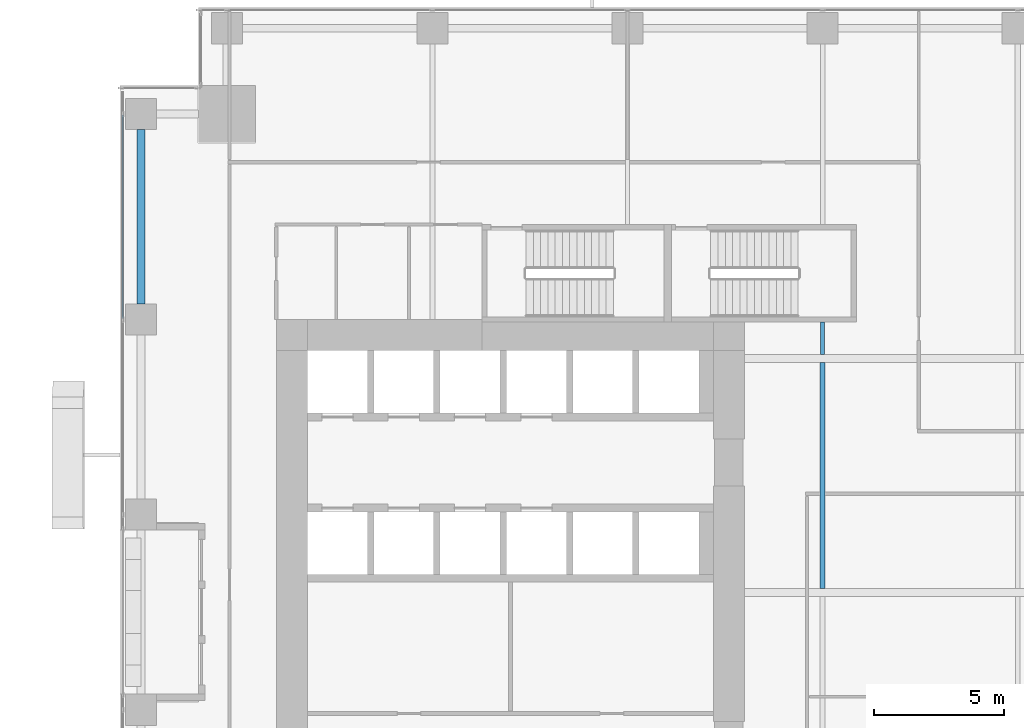
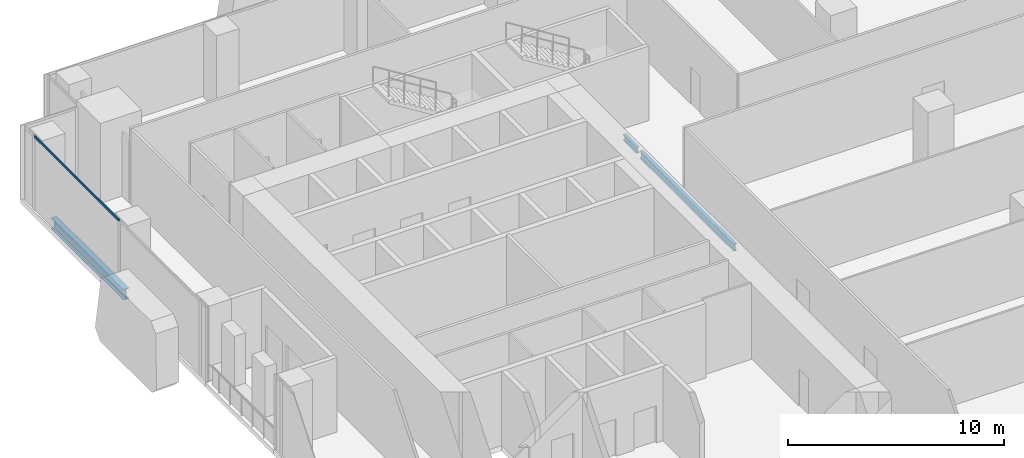
# One storey, part 13 of 35: 3 beams, 1 member, 1 element without a shape of its own.
"""IFC4 building model written with IfcOpenShell, lengths in metres."""

from ifc_helpers import new_model, si_unit, direction, frame, origin, origin_2d, place, context, subcontext, project, spatial, hollow_rectangle, i_section, extrude, source, transform, mapped, material, material_profile, profile_set, type_object, element, aggregate, save


model = new_model("IFC4")

# Units and contexts
model_context = context("Model", 3, precision=1e-05, world=origin(), true_north=direction((0.0, 1.0)))
body_context = subcontext(model_context, "Body", "Model", "MODEL_VIEW")
ifc_project = project(units=[si_unit("LENGTHUNIT", "METRE"), si_unit("AREAUNIT", "SQUARE_METRE"), si_unit("VOLUMEUNIT", "CUBIC_METRE"), si_unit("PLANEANGLEUNIT", "RADIAN"), si_unit("MASSUNIT", "GRAM", prefix="KILO")], contexts=[model_context])

# Site, building, storey
site_placement = place(None, origin())
site = spatial("IfcSite", under=ifc_project, at=site_placement, CompositionType="ELEMENT")
building_placement = place(site_placement, origin())
building = spatial("IfcBuilding", under=site, at=building_placement, Name="Khomas Fold Tower", CompositionType="ELEMENT")
storey_placement = place(building_placement, frame((0.0, 0.0, 69.0)))
storey = spatial("IfcBuildingStorey", under=building, at=storey_placement, Name="L14", CompositionType="ELEMENT", Elevation=69.0)

# Beams
ifc_material_1 = material(Name="Steel S355", Category="steel")
ifc_material_profile_1 = material_profile(ifc_material_1, i_section(OverallWidth=0.179931640625, OverallDepth=0.39990234375, WebThickness=0.008544921875, FlangeThickness=0.013427734375, at=origin_2d()), Name="IPE 400")
ifc_profile_set_1 = profile_set([ifc_material_profile_1], Name="Steel S355")
beam_type_1 = type_object("IfcBeamType", Name="IPE 400 beam JB3", PredefinedType="BEAM", material=ifc_profile_set_1)
shared_shape_1 = source(origin(), body_context, "Body", "SweptSolid", [
    extrude(i_section(OverallWidth=0.179931640625, OverallDepth=0.39990234375, WebThickness=0.008544921875, FlangeThickness=0.013427734375, at=origin_2d()), origin(), (0.0, 0.0, 1.0), 8.7001953125),
])
beam_1_placement = place(storey_placement, frame((27.0, 31.64990234375, -0.5), z_axis=(0.0, 1.0, 0.0), x_axis=(-1.0, 0.0, 0.0)))
element("IfcBeam", 1, at=beam_1_placement, inside=storey, type_object=beam_type_1, Name="JB3", PredefinedType="BEAM", context=body_context, shape_type="MappedRepresentation", body=[
    mapped(shared_shape_1, transform((0.0, 0.0, 0.0))),
])
ifc_material_2 = material(Name="Steel S355", Category="steel")
ifc_material_profile_2 = material_profile(ifc_material_2, i_section(OverallWidth=0.300048828125, OverallDepth=0.60009765625, WebThickness=0.015380859375, FlangeThickness=0.030029296875, at=origin_2d()), Name="HE 600 B")
ifc_profile_set_2 = profile_set([ifc_material_profile_2], Name="Steel S355")
beam_type_2 = type_object("IfcBeamType", Name="HE 600 B spandrel SB1", PredefinedType="SPANDREL", material=ifc_profile_set_2)
shared_shape_2 = source(origin(), body_context, "Body", "SweptSolid", [
    extrude(i_section(OverallWidth=0.300048828125, OverallDepth=0.60009765625, WebThickness=0.015380859375, FlangeThickness=0.030029296875, at=origin_2d()), origin(), (0.0, 0.0, 1.0), 6.699951171875),
])
beam_2_placement = place(storey_placement, frame((0.800048828125, 42.60009765625, -0.60009765625), z_axis=(0.0, 1.0, 0.0), x_axis=(-1.0, 0.0, 0.0)))
element("IfcBeam", 2, at=beam_2_placement, inside=storey, type_object=beam_type_2, Name="SB1", PredefinedType="SPANDREL", context=body_context, shape_type="MappedRepresentation", body=[
    mapped(shared_shape_2, transform((0.0, 0.0, 0.0))),
])
ifc_material_3 = material(Name="Steel S355", Category="steel")
ifc_material_profile_3 = material_profile(ifc_material_3, i_section(OverallWidth=0.159912109375, OverallDepth=0.330078125, WebThickness=0.007568359375, FlangeThickness=0.011474609375, at=origin_2d()), Name="IPE 330")
ifc_profile_set_3 = profile_set([ifc_material_profile_3], Name="Steel S355")
beam_type_3 = type_object("IfcBeamType", Name="IPE 330 beam JB1", PredefinedType="BEAM", material=ifc_profile_set_3)
shared_shape_3 = source(origin(), body_context, "Body", "SweptSolid", [
    extrude(i_section(OverallWidth=0.159912109375, OverallDepth=0.330078125, WebThickness=0.007568359375, FlangeThickness=0.011474609375, at=origin_2d()), origin(), (0.0, 0.0, 1.0), 1.25),
])
beam_3_placement = place(storey_placement, frame((27.0, 40.64990234375, -0.465087890625), z_axis=(0.0, 1.0, 0.0), x_axis=(-1.0, 0.0, 0.0)))
element("IfcBeam", 3, at=beam_3_placement, inside=storey, type_object=beam_type_3, Name="JB1", PredefinedType="BEAM", context=body_context, shape_type="MappedRepresentation", body=[
    mapped(shared_shape_3, transform((0.0, 0.0, 0.0))),
])

# Curtain wall, member
ifc_material_4 = material(Name="Aluminium framed double glazing", Category="aluminium")
curtain_wall_type = type_object("IfcCurtainWallType", Name="SK-Unitised clear-glass wall, growing floors CW1", PredefinedType="NOTDEFINED", material=ifc_material_4)
curtain_wall_placement = place(storey_placement, origin())
curtain_wall = element("IfcCurtainWall", 4, at=curtain_wall_placement, inside=storey, type_object=curtain_wall_type, Name="CW1 run L14 09-0", PredefinedType="NOTDEFINED")
ifc_material_5 = material(Name="Aluminium", Category="aluminium")
ifc_material_profile_4 = material_profile(ifc_material_5, hollow_rectangle(XDim=0.06005859375, YDim=0.1201171875, WallThickness=0.00390625, at=origin_2d()), Name="SK-Unitised clear-glass wall, growing floors transom CW1-T")
ifc_profile_set_4 = profile_set([ifc_material_profile_4], Name="Aluminium")
member_type = type_object("IfcMemberType", Name="SK-Unitised clear-glass wall, growing floors transom CW1-T", PredefinedType="USERDEFINED", material=ifc_profile_set_4)
shared_shape_4 = source(origin(), body_context, "Body", "SweptSolid", [
    extrude(hollow_rectangle(XDim=0.06005859375, YDim=0.1201171875, WallThickness=0.00390625, at=origin_2d()), origin(), (0.0, 0.0, 1.0), 7.840087890625),
])
member_placement = place(storey_placement, frame((0.10009765625, 49.8701171875, 4.139892578125), z_axis=(0.0, -1.0, 0.0), x_axis=(1.0, 0.0, 0.0)))
member = element("IfcMember", 5, at=member_placement, type_object=member_type, Name="CW1 transom 2", ObjectType="TRANSOM", PredefinedType="USERDEFINED", context=body_context, shape_type="MappedRepresentation", body=[
    mapped(shared_shape_4, transform((0.0, 0.0, 0.0))),
])
aggregate(curtain_wall, [member])

save(model, "model.ifc")
